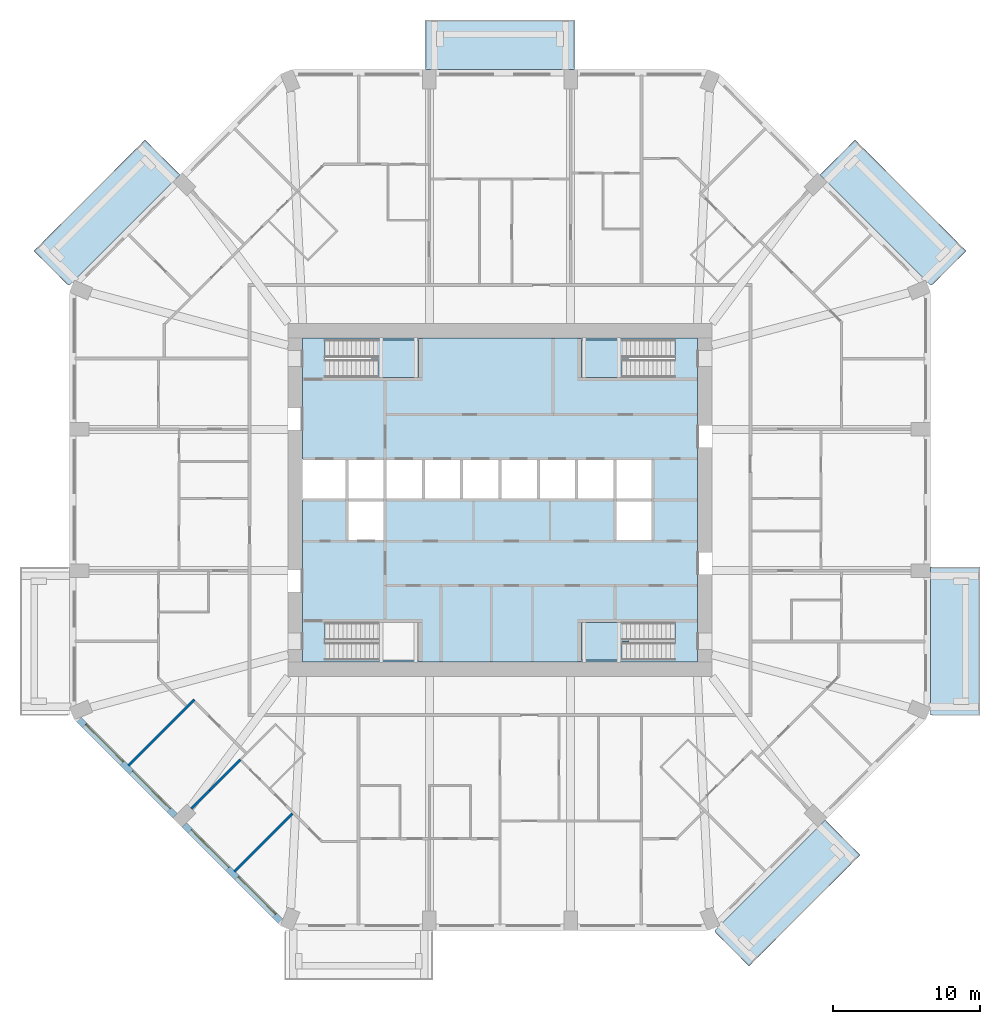
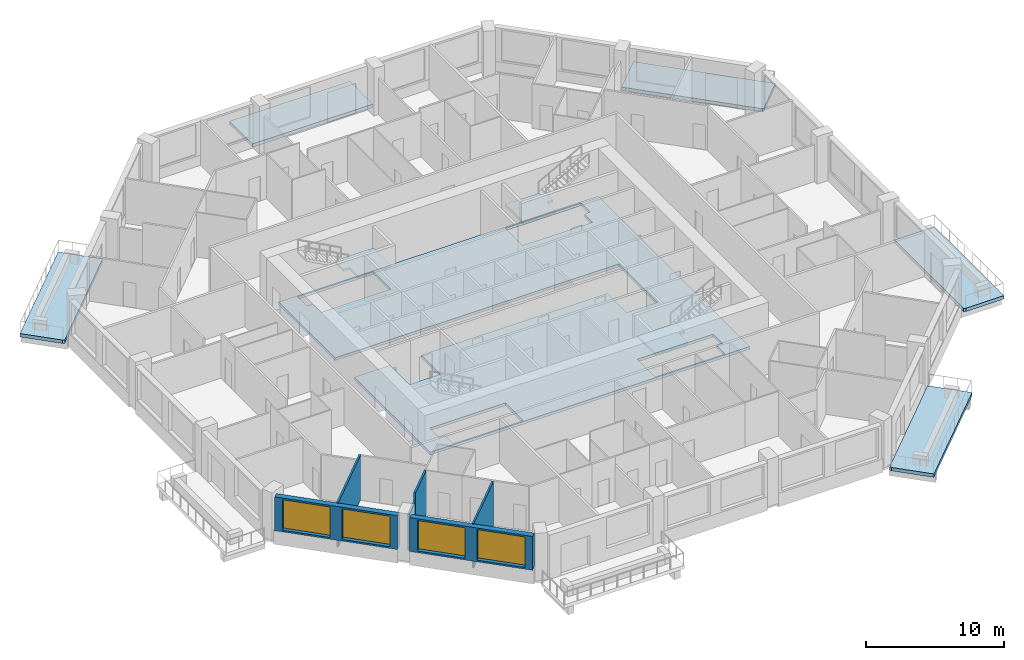
# One storey, part 2 of 13: 9 slabs, 6 walls, 4 windows, 4 openings, 3 elements without a shape of their own.
"""IFC4 building model written with IfcOpenShell, lengths in metres."""

from ifc_helpers import new_model, si_unit, direction, frame, frame_2d, origin, place, context, subcontext, project, spatial, polyline, rectangle, outline, extrude, material, layer, layer_set, type_object, element, fill, aggregate, save


model = new_model("IFC4")

# Units and contexts
model_context = context("Model", 3, precision=1e-05, world=origin(), true_north=direction((0.0, 1.0)))
body_context = subcontext(model_context, "Body", "Model", "MODEL_VIEW")
ifc_project = project(units=[si_unit("LENGTHUNIT", "METRE"), si_unit("AREAUNIT", "SQUARE_METRE"), si_unit("VOLUMEUNIT", "CUBIC_METRE"), si_unit("PLANEANGLEUNIT", "RADIAN"), si_unit("MASSUNIT", "GRAM", prefix="KILO")], contexts=[model_context])

# Site, building, storey
site_placement = place(None, origin())
site = spatial("IfcSite", under=ifc_project, at=site_placement, CompositionType="ELEMENT")
building_placement = place(site_placement, origin())
building = spatial("IfcBuilding", under=site, at=building_placement, Name="Msitu Wima Residences", CompositionType="ELEMENT")
storey_placement = place(building_placement, frame((0.0, 0.0, 54.89990234375)))
storey = spatial("IfcBuildingStorey", under=building, at=storey_placement, Name="L12", CompositionType="ELEMENT", Elevation=54.89990234375)

# Slabs
ifc_material_1 = material(Name="Concrete C40/50", Category="concrete")
ifc_layer_1 = layer(ifc_material_1, 0.300048828125)
ifc_layer_set_1 = layer_set([ifc_layer_1], Name="Concrete C40/50")
slab_type_1 = type_object("IfcSlabType", Name="Balcony slab BS300", PredefinedType="FLOOR", material=ifc_layer_set_1)
slab_1_placement = place(storey_placement, frame((0.0, 0.0, -0.2998046875)))
element("IfcSlab", 1, at=slab_1_placement, inside=storey, type_object=slab_type_1, Name="Balcony E0 L12", PredefinedType="FLOOR", context=body_context, shape_type="SweptSolid", body=[
    extrude(outline(polyline([(29.25, -14.099365234375), (29.25, -14.099365234375), (29.25, -5.25), (29.25, -4.550048828125), (32.60009765625, -4.550048828125), (32.60009765625, -14.64990234375), (29.403564453125, -14.64990234375), (29.25, -14.58642578125), (29.25, -14.099365234375), (29.25, -14.099365234375)])), origin(), (0.0, 0.0, 1.0), 0.2998046875),
])
slab_2_placement = place(storey_placement, frame((0.0, 0.0, -0.2998046875)))
element("IfcSlab", 2, at=slab_2_placement, inside=storey, type_object=slab_type_1, Name="Balcony NE0 L12", PredefinedType="FLOOR", context=body_context, shape_type="SweptSolid", body=[
    extrude(outline(polyline([(24.1103515625, 24.4638671875), (31.663818359375, 16.91015625), (29.403564453125, 14.64990234375), (29.25, 14.58642578125), (21.741455078125, 22.094970703125), (24.1103515625, 24.4638671875)])), origin(), (0.0, 0.0, 1.0), 0.2998046875),
])
slab_3_placement = place(storey_placement, frame((0.0, 0.0, -0.2998046875)))
element("IfcSlab", 3, at=slab_3_placement, inside=storey, type_object=slab_type_1, Name="Balcony N1 L12", PredefinedType="FLOOR", context=body_context, shape_type="SweptSolid", body=[
    extrude(outline(polyline([(4.35009765625, 29.25), (-4.35009765625, 29.25), (-5.050048828125, 29.25), (-5.050048828125, 32.60009765625), (5.050048828125, 32.60009765625), (5.050048828125, 29.25), (4.35009765625, 29.25)])), origin(), (0.0, 0.0, 1.0), 0.2998046875),
])
slab_4_placement = place(storey_placement, frame((0.0, 0.0, -0.2998046875)))
element("IfcSlab", 4, at=slab_4_placement, inside=storey, type_object=slab_type_1, Name="Balcony NW1 L12", PredefinedType="FLOOR", context=body_context, shape_type="SweptSolid", body=[
    extrude(outline(polyline([(-31.663818359375, 16.91015625), (-24.1103515625, 24.4638671875), (-21.741455078125, 22.094970703125), (-29.25, 14.58642578125), (-29.403564453125, 14.64990234375), (-31.663818359375, 16.91015625)])), origin(), (0.0, 0.0, 1.0), 0.2998046875),
])
slab_5_placement = place(storey_placement, frame((0.0, 0.0, -0.2998046875)))
element("IfcSlab", 5, at=slab_5_placement, inside=storey, type_object=slab_type_1, Name="Balcony SE0 L12", PredefinedType="FLOOR", context=body_context, shape_type="SweptSolid", body=[
    extrude(outline(polyline([(24.4638671875, -24.1103515625), (16.91015625, -31.663818359375), (14.64990234375, -29.403564453125), (14.58642578125, -29.25), (22.094970703125, -21.741455078125), (24.4638671875, -24.1103515625)])), origin(), (0.0, 0.0, 1.0), 0.2998046875),
])
ifc_layer_2 = layer(ifc_material_1, 0.25)
ifc_layer_set_2 = layer_set([ifc_layer_2], Name="Concrete C40/50")
slab_type_2 = type_object("IfcSlabType", Name="Core floor CF250", PredefinedType="FLOOR", material=ifc_layer_set_2)
slab_6_placement = place(storey_placement, frame((0.0, 0.0, -0.25)))
element("IfcSlab", 6, at=slab_6_placement, inside=storey, type_object=slab_type_2, Name="Core floor", PredefinedType="FLOOR", context=body_context, shape_type="SweptSolid", body=[
    extrude(outline(polyline([(-13.39990234375, 11.0), (-13.39990234375, 2.800048828125), (-10.39990234375, 2.800048828125), (-7.800048828125, 2.800048828125), (-5.199951171875, 2.800048828125), (-2.60009765625, 2.800048828125), (0.0, 2.800048828125), (2.60009765625, 2.800048828125), (5.199951171875, 2.800048828125), (7.800048828125, 2.800048828125), (10.39990234375, 2.800048828125), (10.39990234375, 0.0), (10.39990234375, -2.800048828125), (7.800048828125, -2.800048828125), (7.800048828125, 0.0), (5.199951171875, 0.0), (2.60009765625, 0.0), (0.0, 0.0), (-2.60009765625, 0.0), (-5.199951171875, 0.0), (-7.800048828125, 0.0), (-7.800048828125, -2.800048828125), (-10.39990234375, -2.800048828125), (-10.39990234375, 0.0), (-13.39990234375, 0.0), (-13.39990234375, -11.0), (13.39990234375, -11.0), (13.39990234375, 11.0), (-13.39990234375, 11.0)]), holes=[polyline([(-11.375, -10.875), (-11.375, -9.675048828125), (-11.87451171875, -9.675048828125), (-11.87451171875, -8.324951171875), (-5.52490234375, -8.324951171875), (-5.52490234375, -10.875), (-11.375, -10.875)]), polyline([(-11.375, 9.52490234375), (-11.87451171875, 9.52490234375), (-11.87451171875, 10.875), (-5.52490234375, 10.875), (-5.52490234375, 8.324951171875), (-11.375, 8.324951171875), (-11.375, 9.52490234375)]), polyline([(11.375, -9.675048828125), (11.375, -10.875), (5.52490234375, -10.875), (5.52490234375, -8.324951171875), (11.87451171875, -8.324951171875), (11.87451171875, -9.675048828125), (11.375, -9.675048828125)]), polyline([(11.375, 9.52490234375), (11.375, 8.324951171875), (5.52490234375, 8.324951171875), (5.52490234375, 10.875), (11.87451171875, 10.875), (11.87451171875, 9.52490234375), (11.375, 9.52490234375)])]), origin(), (0.0, 0.0, 1.0), 0.25),
])

# Stair, slab
stair_type = type_object("IfcStairType", Name="Exit stair ES1615-120", PredefinedType="HALF_TURN_STAIR", material=ifc_material_1)
stair_1_placement = place(storey_placement, origin())
stair_1 = element("IfcStair", 7, at=stair_1_placement, inside=storey, type_object=stair_type, Name="Exit stair 1", PredefinedType="HALF_TURN_STAIR")
ifc_layer_3 = layer(ifc_material_1, 0.199951171875)
ifc_layer_set_3 = layer_set([ifc_layer_3], Name="Concrete C40/50")
slab_type_3 = type_object("IfcSlabType", Name="Stair landing SL200", PredefinedType="LANDING", material=ifc_layer_set_3)
slab_7_placement = place(storey_placement, frame((0.0, 0.0, 1.900146484375)))
slab_7 = element("IfcSlab", 8, at=slab_7_placement, type_object=slab_type_3, Name="S1 landing 1", PredefinedType="LANDING", context=body_context, shape_type="SweptSolid", body=[
    extrude(outline(polyline([(-5.52490234375, 8.324951171875), (-8.275390625, 8.324951171875), (-8.275390625, 9.60009765625), (-8.77490234375, 9.60009765625), (-8.77490234375, 10.875), (-5.52490234375, 10.875), (-5.52490234375, 8.324951171875)])), origin(), (0.0, 0.0, 1.0), 0.199951171875),
])
aggregate(stair_1, [slab_7])

stair_2_placement = place(storey_placement, origin())
stair_2 = element("IfcStair", 9, at=stair_2_placement, inside=storey, type_object=stair_type, Name="Exit stair 3", PredefinedType="HALF_TURN_STAIR")
slab_8_placement = place(storey_placement, frame((0.0, 0.0, 1.900146484375)))
slab_8 = element("IfcSlab", 10, at=slab_8_placement, type_object=slab_type_3, Name="S3 landing 1", PredefinedType="LANDING", context=body_context, shape_type="SweptSolid", body=[
    extrude(outline(polyline([(5.52490234375, 8.324951171875), (8.275390625, 8.324951171875), (8.275390625, 9.60009765625), (8.77490234375, 9.60009765625), (8.77490234375, 10.875), (5.52490234375, 10.875), (5.52490234375, 8.324951171875)])), origin(), (0.0, 0.0, 1.0), 0.199951171875),
])
aggregate(stair_2, [slab_8])

stair_3_placement = place(storey_placement, origin())
stair_3 = element("IfcStair", 11, at=stair_3_placement, inside=storey, type_object=stair_type, Name="Exit stair 4", PredefinedType="HALF_TURN_STAIR")
slab_9_placement = place(storey_placement, frame((0.0, 0.0, 1.900146484375)))
slab_9 = element("IfcSlab", 12, at=slab_9_placement, type_object=slab_type_3, Name="S4 landing 1", PredefinedType="LANDING", context=body_context, shape_type="SweptSolid", body=[
    extrude(outline(polyline([(5.52490234375, -10.875), (8.275390625, -10.875), (8.275390625, -9.60009765625), (8.77490234375, -9.60009765625), (8.77490234375, -8.324951171875), (5.52490234375, -8.324951171875), (5.52490234375, -10.875)])), origin(), (0.0, 0.0, 1.0), 0.199951171875),
])
aggregate(stair_3, [slab_9])

# Wall, openings, windows
ifc_material_2 = material(Name="Brick (red buff mix)", Category="masonry")
ifc_layer_4 = layer(ifc_material_2, 0.449951171875)
ifc_layer_set_4 = layer_set([ifc_layer_4], Name="Brick (red buff mix)")
wall_type_1 = type_object("IfcWallType", Name="Brick infill wall BW450", PredefinedType="SOLIDWALL", material=ifc_layer_set_4)
wall_1_placement = place(storey_placement, frame((-28.61474609375, -14.903564453125, 0.900146484375), z_axis=(0.0, 0.0, 1.0), x_axis=(0.707106781187, -0.707106781187, 0.0)))
wall_1 = element("IfcWall", 13, at=wall_1_placement, inside=storey, type_object=wall_type_1, Name="Brick infill wall L12 SW0", PredefinedType="SOLIDWALL", context=body_context, shape_type="SweptSolid", body=[
    extrude(rectangle(XDim=9.2451171875, YDim=0.449951171875, at=frame_2d((4.62255859375, 0.0))), origin(), (0.0, 0.0, 1.0), 3.0),
])
opening_1_placement = place(wall_1_placement, frame((0.572509765625, 0.0, 0.14990234375)))
opening_1 = element("IfcOpeningElement", 14, at=opening_1_placement, cuts=wall_1, Name="Opening W11-12.025", PredefinedType="OPENING", context=body_context, shape_type="SweptSolid", body=[
    extrude(rectangle(XDim=3.60009765625, YDim=2.699951171875, at=frame_2d((1.800048828125, 1.35009765625))), frame((0.0, 0.23486328125, 0.0), z_axis=(0.0, -1.0, 0.0), x_axis=(1.0, 0.0, 0.0)), (0.0, 0.0, 1.0), 0.469970703125),
])
opening_2_placement = place(wall_1_placement, frame((5.072509765625, 0.0, 0.14990234375)))
opening_2 = element("IfcOpeningElement", 15, at=opening_2_placement, cuts=wall_1, Name="Opening W11-12.026", PredefinedType="OPENING", context=body_context, shape_type="SweptSolid", body=[
    extrude(rectangle(XDim=3.60009765625, YDim=2.699951171875, at=frame_2d((1.800048828125, 1.35009765625))), frame((0.0, 0.23486328125, 0.0), z_axis=(0.0, -1.0, 0.0), x_axis=(1.0, 0.0, 0.0)), (0.0, 0.0, 1.0), 0.469970703125),
])
ifc_material_3 = material(Name="Anodised aluminium, bronze finish, clear low-emissivity double glazing", Category="aluminium")
window_type = type_object("IfcWindowType", Name="Window W3600x2700", PartitioningType="DOUBLE_PANEL_VERTICAL", PredefinedType="WINDOW", material=ifc_material_3)
window_1_placement = place(opening_1_placement, origin())
window_1 = element("IfcWindow", 16, at=window_1_placement, inside=storey, type_object=window_type, Name="Window L12 SW0.1", OverallHeight=2.699951171875, OverallWidth=3.60009765625, PartitioningType="SINGLE_PANEL", PredefinedType="WINDOW", context=body_context, shape_type="SweptSolid", body=[
    extrude(rectangle(XDim=3.60009765625, YDim=2.699951171875, at=frame_2d((1.800048828125, 1.35009765625))), frame((0.0, 0.135009765625, 0.0), z_axis=(0.0, -1.0, 0.0), x_axis=(1.0, 0.0, 0.0)), (0.0, 0.0, 1.0), 0.06005859375),
])
fill(opening_1, window_1)
window_2_placement = place(opening_2_placement, origin())
window_2 = element("IfcWindow", 17, at=window_2_placement, inside=storey, type_object=window_type, Name="Window L12 SW0.2", OverallHeight=2.699951171875, OverallWidth=3.60009765625, PartitioningType="SINGLE_PANEL", PredefinedType="WINDOW", context=body_context, shape_type="SweptSolid", body=[
    extrude(rectangle(XDim=3.60009765625, YDim=2.699951171875, at=frame_2d((1.800048828125, 1.35009765625))), frame((0.0, 0.135009765625, 0.0), z_axis=(0.0, -1.0, 0.0), x_axis=(1.0, 0.0, 0.0)), (0.0, 0.0, 1.0), 0.06005859375),
])
fill(opening_2, window_2)

wall_2_placement = place(storey_placement, frame((-21.44091796875, -22.077392578125, 0.900146484375), z_axis=(0.0, 0.0, 1.0), x_axis=(0.707106781187, -0.707106781187, 0.0)))
wall_2 = element("IfcWall", 18, at=wall_2_placement, inside=storey, type_object=wall_type_1, Name="Brick infill wall L12 SW1", PredefinedType="SOLIDWALL", context=body_context, shape_type="SweptSolid", body=[
    extrude(rectangle(XDim=9.2451171875, YDim=0.449951171875, at=frame_2d((4.62255859375, 0.0))), origin(), (0.0, 0.0, 1.0), 3.0),
])
opening_3_placement = place(wall_2_placement, frame((0.572509765625, 0.0, 0.14990234375)))
opening_3 = element("IfcOpeningElement", 19, at=opening_3_placement, cuts=wall_2, Name="Opening W11-12.027", PredefinedType="OPENING", context=body_context, shape_type="SweptSolid", body=[
    extrude(rectangle(XDim=3.60009765625, YDim=2.699951171875, at=frame_2d((1.800048828125, 1.35009765625))), frame((0.0, 0.23486328125, 0.0), z_axis=(0.0, -1.0, 0.0), x_axis=(1.0, 0.0, 0.0)), (0.0, 0.0, 1.0), 0.469970703125),
])
opening_4_placement = place(wall_2_placement, frame((5.072509765625, 0.0, 0.14990234375)))
opening_4 = element("IfcOpeningElement", 20, at=opening_4_placement, cuts=wall_2, Name="Opening W11-12.028", PredefinedType="OPENING", context=body_context, shape_type="SweptSolid", body=[
    extrude(rectangle(XDim=3.60009765625, YDim=2.699951171875, at=frame_2d((1.800048828125, 1.35009765625))), frame((0.0, 0.23486328125, 0.0), z_axis=(0.0, -1.0, 0.0), x_axis=(1.0, 0.0, 0.0)), (0.0, 0.0, 1.0), 0.469970703125),
])
window_3_placement = place(opening_3_placement, origin())
window_3 = element("IfcWindow", 21, at=window_3_placement, inside=storey, type_object=window_type, Name="Window L12 SW1.1", OverallHeight=2.699951171875, OverallWidth=3.60009765625, PartitioningType="SINGLE_PANEL", PredefinedType="WINDOW", context=body_context, shape_type="SweptSolid", body=[
    extrude(rectangle(XDim=3.60009765625, YDim=2.699951171875, at=frame_2d((1.800048828125, 1.35009765625))), frame((0.0, 0.135009765625, 0.0), z_axis=(0.0, -1.0, 0.0), x_axis=(1.0, 0.0, 0.0)), (0.0, 0.0, 1.0), 0.06005859375),
])
fill(opening_3, window_3)
window_4_placement = place(opening_4_placement, origin())
window_4 = element("IfcWindow", 22, at=window_4_placement, inside=storey, type_object=window_type, Name="Window L12 SW1.2", OverallHeight=2.699951171875, OverallWidth=3.60009765625, PartitioningType="SINGLE_PANEL", PredefinedType="WINDOW", context=body_context, shape_type="SweptSolid", body=[
    extrude(rectangle(XDim=3.60009765625, YDim=2.699951171875, at=frame_2d((1.800048828125, 1.35009765625))), frame((0.0, 0.135009765625, 0.0), z_axis=(0.0, -1.0, 0.0), x_axis=(1.0, 0.0, 0.0)), (0.0, 0.0, 1.0), 0.06005859375),
])
fill(opening_4, window_4)

# Walls
ifc_material_4 = material(Name="Plaster")
ifc_layer_5 = layer(ifc_material_4, 0.011962890625, Name="Plaster")
ifc_material_5 = material(Name="Concrete blockwork", Category="masonry")
ifc_layer_6 = layer(ifc_material_5, 0.1259765625, Name="Concrete blockwork")
ifc_layer_7 = layer(ifc_material_4, 0.011962890625, Name="Plaster")
ifc_layer_set_5 = layer_set([ifc_layer_5, ifc_layer_6, ifc_layer_7], Name="Concrete blockwork")
wall_type_2 = type_object("IfcWallType", Name="Partition PW150", PredefinedType="PARTITIONING", material=ifc_layer_set_5)
wall_3_placement = place(storey_placement, frame((-25.23876953125, -18.038818359375, 0.0), z_axis=(0.0, 0.0, 1.0), x_axis=(0.707106781187, 0.707106781187, 0.0)))
element("IfcWall", 23, at=wall_3_placement, inside=storey, type_object=wall_type_2, Name="Partition", PredefinedType="PARTITIONING", context=body_context, shape_type="SweptSolid", body=[
    extrude(rectangle(XDim=6.329833984375, YDim=0.14990234375, at=frame_2d((3.1650390625, 0.0))), origin(), (0.0, 0.0, 1.0), 3.9501953125),
])
wall_4_placement = place(storey_placement, frame((-20.963623046875, -20.963623046875, 0.0), z_axis=(0.0, 0.0, 1.0), x_axis=(0.707106781187, 0.707106781187, 0.0)))
element("IfcWall", 24, at=wall_4_placement, inside=storey, type_object=wall_type_2, Name="Partition", PredefinedType="PARTITIONING", context=body_context, shape_type="SweptSolid", body=[
    extrude(rectangle(XDim=1.74853515625, YDim=0.14990234375, at=frame_2d((0.874267578125, 0.0))), origin(), (0.0, 0.0, 1.0), 3.25),
])
wall_5_placement = place(storey_placement, frame((-19.727294921875, -19.727294921875, 0.0), z_axis=(0.0, 0.0, 1.0), x_axis=(0.707106781187, 0.707106781187, 0.0)))
element("IfcWall", 25, at=wall_5_placement, inside=storey, type_object=wall_type_2, Name="Partition", PredefinedType="PARTITIONING", context=body_context, shape_type="SweptSolid", body=[
    extrude(rectangle(XDim=2.9716796875, YDim=0.14990234375, at=frame_2d((1.48583984375, 0.0))), origin(), (0.0, 0.0, 1.0), 3.9501953125),
])
wall_6_placement = place(storey_placement, frame((-18.038818359375, -25.23876953125, 0.0), z_axis=(0.0, 0.0, 1.0), x_axis=(0.707106781187, 0.707106781187, 0.0)))
element("IfcWall", 26, at=wall_6_placement, inside=storey, type_object=wall_type_2, Name="Partition", PredefinedType="PARTITIONING", context=body_context, shape_type="SweptSolid", body=[
    extrude(rectangle(XDim=5.579833984375, YDim=0.14990234375, at=frame_2d((2.7900390625, 0.0))), origin(), (0.0, 0.0, 1.0), 3.9501953125),
])

save(model, "model.ifc")
